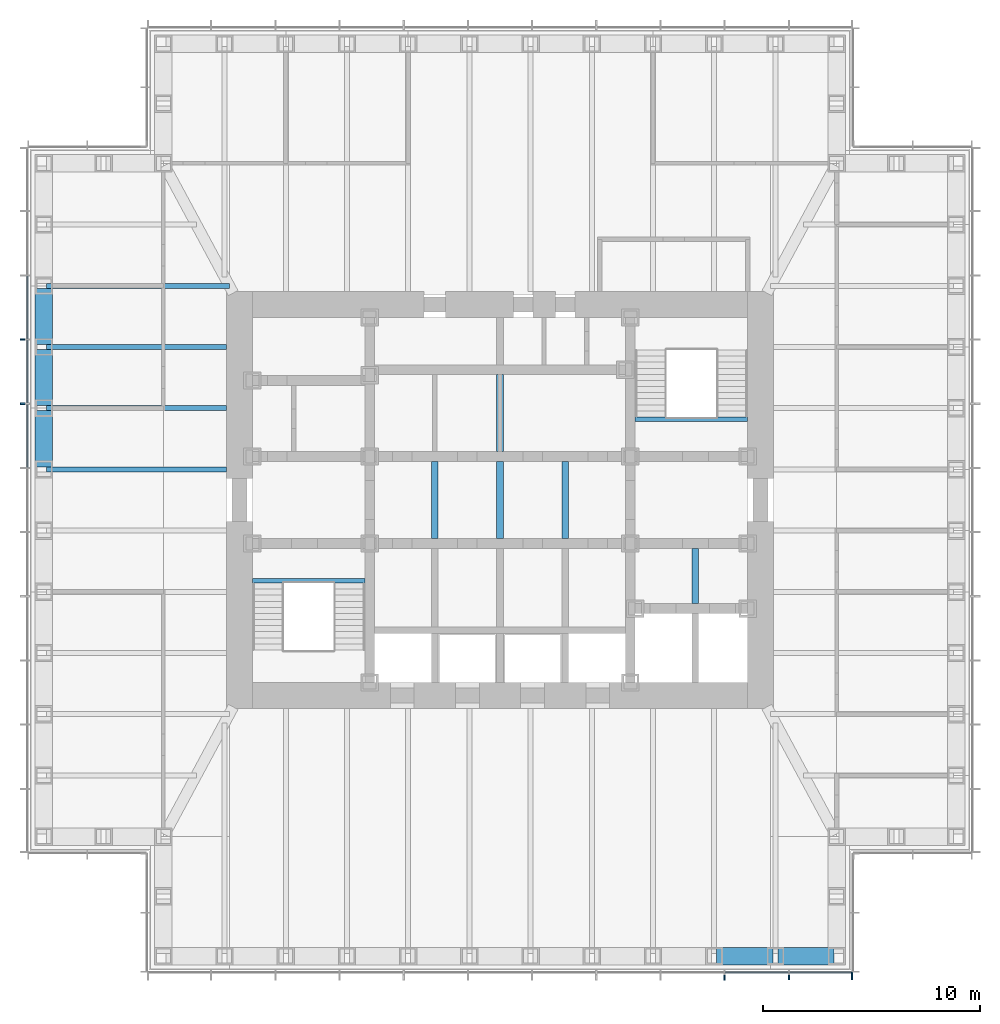
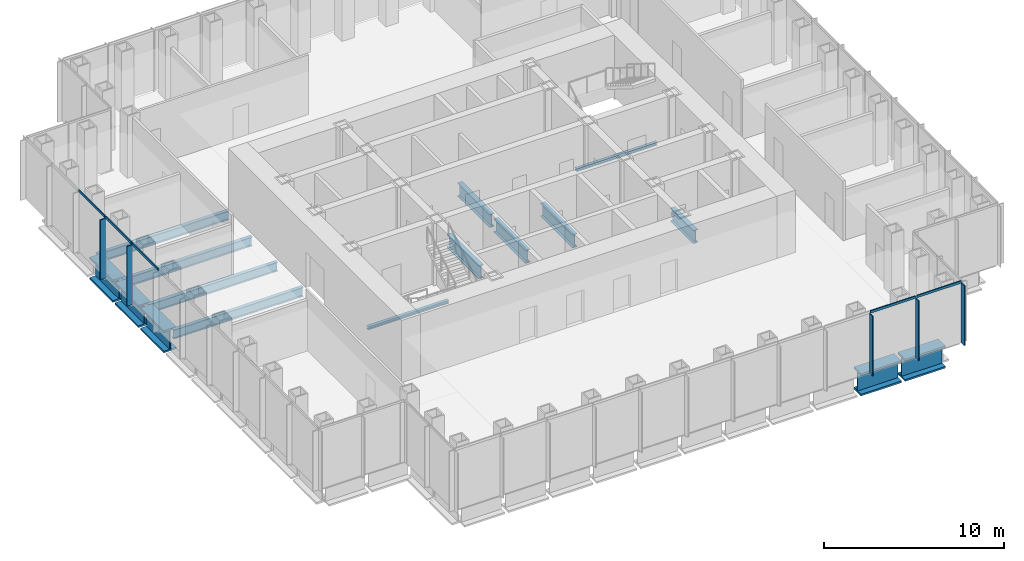
# One storey, part 3 of 16: 16 beams, 10 members, 2 elements without a shape of their own.
"""IFC4 building model written with IfcOpenShell, lengths in metres."""

from ifc_helpers import new_model, si_unit, direction, frame, origin, origin_2d, place, context, subcontext, project, spatial, rectangle, i_section, extrude, material, material_profile, profile_set, type_object, element, aggregate, save


model = new_model("IFC4")

# Units and contexts
model_context = context("Model", 3, precision=1e-05, world=origin(), true_north=direction((0.0, 1.0)))
body_context = subcontext(model_context, "Body", "Model", "MODEL_VIEW")
ifc_project = project(units=[si_unit("LENGTHUNIT", "METRE"), si_unit("AREAUNIT", "SQUARE_METRE"), si_unit("VOLUMEUNIT", "CUBIC_METRE"), si_unit("PLANEANGLEUNIT", "RADIAN"), si_unit("MASSUNIT", "GRAM", prefix="KILO")], contexts=[model_context])

# Site, building, storey
site_placement = place(None, origin())
site = spatial("IfcSite", under=ifc_project, at=site_placement, CompositionType="ELEMENT")
building_placement = place(site_placement, origin())
building = spatial("IfcBuilding", under=site, at=building_placement, Name="Daluyong Arena Tower", CompositionType="ELEMENT")
storey_placement = place(building_placement, frame((0.0, 0.0, 214.89990234375)))
storey = spatial("IfcBuildingStorey", under=building, at=storey_placement, Name="L48", CompositionType="ELEMENT", Elevation=214.89990234375)

# Curtain wall, members
ifc_material_1 = material(Name="Bronze anodised aluminium and glass", Category="aluminium")
curtain_wall_type = type_object("IfcCurtainWallType", Name="Curtain wall CW3", PredefinedType="USERDEFINED", material=ifc_material_1)
curtain_wall_1_placement = place(storey_placement, origin())
curtain_wall_1 = element("IfcCurtainWall", 1, at=curtain_wall_1_placement, inside=storey, type_object=curtain_wall_type, Name="curtain wall L48 S", ObjectType="UNITISED CURTAIN WALL", PredefinedType="USERDEFINED")
ifc_material_2 = material(Name="Bronze anodised aluminium fin", Category="aluminium")
ifc_material_profile_1 = material_profile(ifc_material_2, rectangle(XDim=0.35009765625, YDim=0.070068359375, at=origin_2d()))
ifc_profile_set_1 = profile_set([ifc_material_profile_1], Name="Bronze anodised aluminium fin")
member_type_1 = type_object("IfcMemberType", Name="CW3 bronze fin 350x70", PredefinedType="MULLION", material=ifc_profile_set_1)
member_1_placement = place(storey_placement, frame((66.3408203125, 58.074951171875, 0.0), z_axis=(0.0, 0.0, 1.0), x_axis=(0.0, 1.0, 0.0)))
member_1 = element("IfcMember", 2, at=member_1_placement, type_object=member_type_1, Name="curtain wall L48 S fin 10", PredefinedType="MULLION", context=body_context, shape_type="SweptSolid", body=[
    extrude(rectangle(XDim=0.35009765625, YDim=0.070068359375, at=origin_2d()), origin(), (0.0, 0.0, 1.0), 4.0400390625),
])
member_2_placement = place(storey_placement, frame((69.29541015625, 58.074951171875, 0.0), z_axis=(0.0, 0.0, 1.0), x_axis=(0.0, 1.0, 0.0)))
member_2 = element("IfcMember", 3, at=member_2_placement, type_object=member_type_1, Name="curtain wall L48 S fin 11", PredefinedType="MULLION", context=body_context, shape_type="SweptSolid", body=[
    extrude(rectangle(XDim=0.35009765625, YDim=0.070068359375, at=origin_2d()), origin(), (0.0, 0.0, 1.0), 4.0400390625),
])
member_3_placement = place(storey_placement, frame((72.215087890625, 58.074951171875, 0.0), z_axis=(0.0, 0.0, 1.0), x_axis=(0.0, 1.0, 0.0)))
member_3 = element("IfcMember", 4, at=member_3_placement, type_object=member_type_1, Name="curtain wall L48 S fin 12", PredefinedType="MULLION", context=body_context, shape_type="SweptSolid", body=[
    extrude(rectangle(XDim=0.35009765625, YDim=0.070068359375, at=origin_2d()), origin(), (0.0, 0.0, 1.0), 4.0400390625),
])

curtain_wall_2_placement = place(storey_placement, origin())
curtain_wall_2 = element("IfcCurtainWall", 5, at=curtain_wall_2_placement, inside=storey, type_object=curtain_wall_type, Name="curtain wall L48 W", ObjectType="UNITISED CURTAIN WALL", PredefinedType="USERDEFINED")
member_4_placement = place(storey_placement, frame((34.074951171875, 87.386474609375, 0.0), z_axis=(0.0, 0.0, 1.0), x_axis=(1.0, 0.0, 0.0)))
member_4 = element("IfcMember", 6, at=member_4_placement, type_object=member_type_1, Name="curtain wall L48 W fin 4", PredefinedType="MULLION", context=body_context, shape_type="SweptSolid", body=[
    extrude(rectangle(XDim=0.35009765625, YDim=0.070068359375, at=origin_2d()), origin(), (0.0, 0.0, 1.0), 4.0400390625),
])
member_5_placement = place(storey_placement, frame((34.074951171875, 84.431884765625, 0.0), z_axis=(0.0, 0.0, 1.0), x_axis=(1.0, 0.0, 0.0)))
member_5 = element("IfcMember", 7, at=member_5_placement, type_object=member_type_1, Name="curtain wall L48 W fin 5", PredefinedType="MULLION", context=body_context, shape_type="SweptSolid", body=[
    extrude(rectangle(XDim=0.35009765625, YDim=0.070068359375, at=origin_2d()), origin(), (0.0, 0.0, 1.0), 4.0400390625),
])

# Member
ifc_material_3 = material(Name="Bronze anodised aluminium", Category="aluminium")
ifc_material_profile_2 = material_profile(ifc_material_3, rectangle(XDim=0.070068359375, YDim=0.159912109375, at=origin_2d()))
ifc_profile_set_2 = profile_set([ifc_material_profile_2], Name="Bronze anodised aluminium")
member_type_2 = type_object("IfcMemberType", Name="CW3 stack transom 160x70", PredefinedType="USERDEFINED", material=ifc_profile_set_2)
member_6_placement = place(storey_placement, frame((66.3759765625, 58.25, 4.1201171875), z_axis=(1.0, 0.0, 0.0), x_axis=(0.0, 1.0, 0.0)))
member_6 = element("IfcMember", 8, at=member_6_placement, type_object=member_type_2, Name="curtain wall L48 S transom 10", ObjectType="TRANSOM", PredefinedType="USERDEFINED", context=body_context, shape_type="SweptSolid", body=[
    extrude(rectangle(XDim=0.070068359375, YDim=0.159912109375, at=origin_2d()), origin(), (0.0, 0.0, 1.0), 2.884521484375),
])

member_7_placement = place(storey_placement, frame((69.33056640625, 58.25, 4.1201171875), z_axis=(1.0, 0.0, 0.0), x_axis=(0.0, 1.0, 0.0)))
member_7 = element("IfcMember", 9, at=member_7_placement, type_object=member_type_2, Name="curtain wall L48 S transom 11", ObjectType="TRANSOM", PredefinedType="USERDEFINED", context=body_context, shape_type="SweptSolid", body=[
    extrude(rectangle(XDim=0.070068359375, YDim=0.159912109375, at=origin_2d()), origin(), (0.0, 0.0, 1.0), 2.849365234375),
])

aggregate(curtain_wall_1, [member_1, member_2, member_3, member_6, member_7])

member_8_placement = place(storey_placement, frame((34.25, 90.305908203125, 4.1201171875), z_axis=(0.0, -1.0, 0.0), x_axis=(1.0, 0.0, 0.0)))
member_8 = element("IfcMember", 10, at=member_8_placement, type_object=member_type_2, Name="curtain wall L48 W transom 3", ObjectType="TRANSOM", PredefinedType="USERDEFINED", context=body_context, shape_type="SweptSolid", body=[
    extrude(rectangle(XDim=0.070068359375, YDim=0.159912109375, at=origin_2d()), origin(), (0.0, 0.0, 1.0), 2.884521484375),
])

member_9_placement = place(storey_placement, frame((34.25, 87.351318359375, 4.1201171875), z_axis=(0.0, -1.0, 0.0), x_axis=(1.0, 0.0, 0.0)))
member_9 = element("IfcMember", 11, at=member_9_placement, type_object=member_type_2, Name="curtain wall L48 W transom 4", ObjectType="TRANSOM", PredefinedType="USERDEFINED", context=body_context, shape_type="SweptSolid", body=[
    extrude(rectangle(XDim=0.070068359375, YDim=0.159912109375, at=origin_2d()), origin(), (0.0, 0.0, 1.0), 2.884521484375),
])

member_10_placement = place(storey_placement, frame((34.25, 84.396728515625, 4.1201171875), z_axis=(0.0, -1.0, 0.0), x_axis=(1.0, 0.0, 0.0)))
member_10 = element("IfcMember", 12, at=member_10_placement, type_object=member_type_2, Name="curtain wall L48 W transom 5", ObjectType="TRANSOM", PredefinedType="USERDEFINED", context=body_context, shape_type="SweptSolid", body=[
    extrude(rectangle(XDim=0.070068359375, YDim=0.159912109375, at=origin_2d()), origin(), (0.0, 0.0, 1.0), 2.884521484375),
])

aggregate(curtain_wall_2, [member_4, member_5, member_8, member_9, member_10])

# Beams
ifc_material_4 = material(Name="Steel ASTM A992 Grade 50", Category="steel")
ifc_material_profile_3 = material_profile(ifc_material_4, i_section(OverallWidth=0.22900390625, OverallDepth=0.612060546875, WebThickness=0.011962890625, FlangeThickness=0.01953125, at=origin_2d()))
ifc_profile_set_3 = profile_set([ifc_material_profile_3], Name="Steel ASTM A992 Grade 50")
beam_type_1 = type_object("IfcBeamType", Name="Floor beam W24X84", PredefinedType="BEAM", material=ifc_profile_set_3)
beam_1_placement = place(storey_placement, frame((35.114990234375, 89.863525390625, -0.466064453125), z_axis=(1.0, 0.0, 0.0), x_axis=(0.0, 1.0, 0.0)))
element("IfcBeam", 13, at=beam_1_placement, inside=storey, type_object=beam_type_1, Name="floor beam FB3", PredefinedType="BEAM", context=body_context, shape_type="SweptSolid", body=[
    extrude(i_section(OverallWidth=0.22900390625, OverallDepth=0.612060546875, WebThickness=0.011962890625, FlangeThickness=0.01953125, at=origin_2d()), origin(), (0.0, 0.0, 1.0), 8.419921875),
])
for number, where, z_axis, x_axis, name in (
    (14, (35.114990234375, 87.04541015625, -0.466064453125), (1.0, 0.0, 0.0), (0.0, 1.0, 0.0), "floor beam FB3"),
    (15, (35.114990234375, 84.227294921875, -0.466064453125), (1.0, 0.0, 0.0), (0.0, 1.0, 0.0), "floor beam FB3"),
    (16, (35.114990234375, 81.4091796875, -0.466064453125), (1.0, 0.0, 0.0), (0.0, 1.0, 0.0), "floor beam FB3"),
):
    element("IfcBeam", number, at=place(storey_placement, frame(where, z_axis=z_axis, x_axis=x_axis)), inside=storey, type_object=beam_type_1, Name=name, PredefinedType="BEAM", context=body_context, shape_type="SweptSolid", body=[
        extrude(i_section(OverallWidth=0.22900390625, OverallDepth=0.612060546875, WebThickness=0.011962890625, FlangeThickness=0.01953125, at=origin_2d()), origin(), (0.0, 0.0, 1.0), 8.284912109375),
    ])
ifc_material_5 = material(Name="Steel ASTM A572 Grade 50", Category="steel")
ifc_material_profile_4 = material_profile(ifc_material_5, i_section(OverallWidth=0.300048828125, OverallDepth=0.89990234375, WebThickness=0.025, FlangeThickness=0.04, at=origin_2d()))
ifc_profile_set_4 = profile_set([ifc_material_profile_4], Name="Steel ASTM A572 Grade 50")
beam_type_2 = type_object("IfcBeamType", Name="Lift divider beam PG900X300", PredefinedType="BEAM", material=ifc_profile_set_4)
for number, where, z_axis, x_axis, name in (
    (17, (53.0, 78.22509765625, -0.60986328125), (0.0, 1.0, 0.0), (-1.0, 0.0, 0.0), "lift divider beam DB1"),
    (18, (56.0, 78.22509765625, -0.60986328125), (0.0, 1.0, 0.0), (-1.0, 0.0, 0.0), "lift divider beam DB1"),
    (19, (56.0, 82.22509765625, -0.60986328125), (0.0, 1.0, 0.0), (-1.0, 0.0, 0.0), "lift divider beam DB1"),
    (20, (59.0, 78.22509765625, -0.60986328125), (0.0, 1.0, 0.0), (-1.0, 0.0, 0.0), "lift divider beam DB1"),
):
    element("IfcBeam", number, at=place(storey_placement, frame(where, z_axis=z_axis, x_axis=x_axis)), inside=storey, type_object=beam_type_2, Name=name, PredefinedType="BEAM", context=body_context, shape_type="SweptSolid", body=[
        extrude(i_section(OverallWidth=0.300048828125, OverallDepth=0.89990234375, WebThickness=0.025, FlangeThickness=0.04, at=origin_2d()), origin(), (0.0, 0.0, 1.0), 3.5498046875),
    ])
beam_2_placement = place(storey_placement, frame((65.0, 75.22509765625, -0.60986328125), z_axis=(0.0, 1.0, 0.0), x_axis=(-1.0, 0.0, 0.0)))
element("IfcBeam", 21, at=beam_2_placement, inside=storey, type_object=beam_type_2, Name="lift divider beam DB1", PredefinedType="BEAM", context=body_context, shape_type="SweptSolid", body=[
    extrude(i_section(OverallWidth=0.300048828125, OverallDepth=0.89990234375, WebThickness=0.025, FlangeThickness=0.04, at=origin_2d()), origin(), (0.0, 0.0, 1.0), 2.5498046875),
])
ifc_material_6 = material(Name="Steel ASTM A588 Grade 50", Category="steel")
ifc_material_profile_5 = material_profile(ifc_material_6, i_section(OverallWidth=0.800048828125, OverallDepth=1.5, WebThickness=0.05, FlangeThickness=0.12, at=origin_2d()))
ifc_profile_set_5 = profile_set([ifc_material_profile_5], Name="Steel ASTM A588 Grade 50")
beam_type_3 = type_object("IfcBeamType", Name="Spandrel Z3 PG1500X800", PredefinedType="SPANDREL", material=ifc_profile_set_5)
beam_3_placement = place(storey_placement, frame((65.978515625, 59.0, -0.909912109375), z_axis=(1.0, 0.0, 0.0), x_axis=(0.0, 1.0, 0.0)))
element("IfcBeam", 22, at=beam_3_placement, inside=storey, type_object=beam_type_3, Name="spandrel z3 SB7", PredefinedType="SPANDREL", context=body_context, shape_type="SweptSolid", body=[
    extrude(i_section(OverallWidth=0.800048828125, OverallDepth=1.5, WebThickness=0.05, FlangeThickness=0.12, at=origin_2d()), origin(), (0.0, 0.0, 1.0), 2.58837890625),
])
for number, where, z_axis, x_axis, name in (
    (23, (68.796875, 59.0, -0.909912109375), (1.0, 0.0, 0.0), (0.0, 1.0, 0.0), "spandrel z3 SB7"),
    (24, (35.0, 89.74853515625, -0.909912109375), (0.0, -1.0, 0.0), (1.0, 0.0, 0.0), "spandrel z3 SB7"),
    (25, (35.0, 86.930419921875, -0.909912109375), (0.0, -1.0, 0.0), (1.0, 0.0, 0.0), "spandrel z3 SB7"),
    (26, (35.0, 84.1123046875, -0.909912109375), (0.0, -1.0, 0.0), (1.0, 0.0, 0.0), "spandrel z3 SB7"),
):
    element("IfcBeam", number, at=place(storey_placement, frame(where, z_axis=z_axis, x_axis=x_axis)), inside=storey, type_object=beam_type_3, Name=name, PredefinedType="SPANDREL", context=body_context, shape_type="SweptSolid", body=[
        extrude(i_section(OverallWidth=0.800048828125, OverallDepth=1.5, WebThickness=0.05, FlangeThickness=0.12, at=origin_2d()), origin(), (0.0, 0.0, 1.0), 2.588134765625),
    ])
ifc_material_7 = material(Name="Steel ASTM A992 Grade 50", Category="steel")
ifc_material_profile_6 = material_profile(ifc_material_7, i_section(OverallWidth=0.203125, OverallDepth=0.203125, WebThickness=0.00732421875, FlangeThickness=0.010986328125, at=origin_2d()))
ifc_profile_set_6 = profile_set([ifc_material_profile_6], Name="Steel ASTM A992 Grade 50")
beam_type_4 = type_object("IfcBeamType", Name="Stair landing beam W8X31", PredefinedType="BEAM", material=ifc_profile_set_6)
for number, where, z_axis, x_axis, name in (
    (27, (44.60009765625, 76.276611328125, -0.261474609375), (1.0, 0.0, 0.0), (0.0, 1.0, 0.0), "exit stair A landing beam"),
    (28, (62.22509765625, 83.723388671875, -0.261474609375), (1.0, 0.0, 0.0), (0.0, 1.0, 0.0), "exit stair B landing beam"),
):
    element("IfcBeam", number, at=place(storey_placement, frame(where, z_axis=z_axis, x_axis=x_axis)), inside=storey, type_object=beam_type_4, Name=name, PredefinedType="BEAM", context=body_context, shape_type="SweptSolid", body=[
        extrude(i_section(OverallWidth=0.203125, OverallDepth=0.203125, WebThickness=0.00732421875, FlangeThickness=0.010986328125, at=origin_2d()), origin(), (0.0, 0.0, 1.0), 5.1748046875),
    ])

save(model, "model.ifc")
